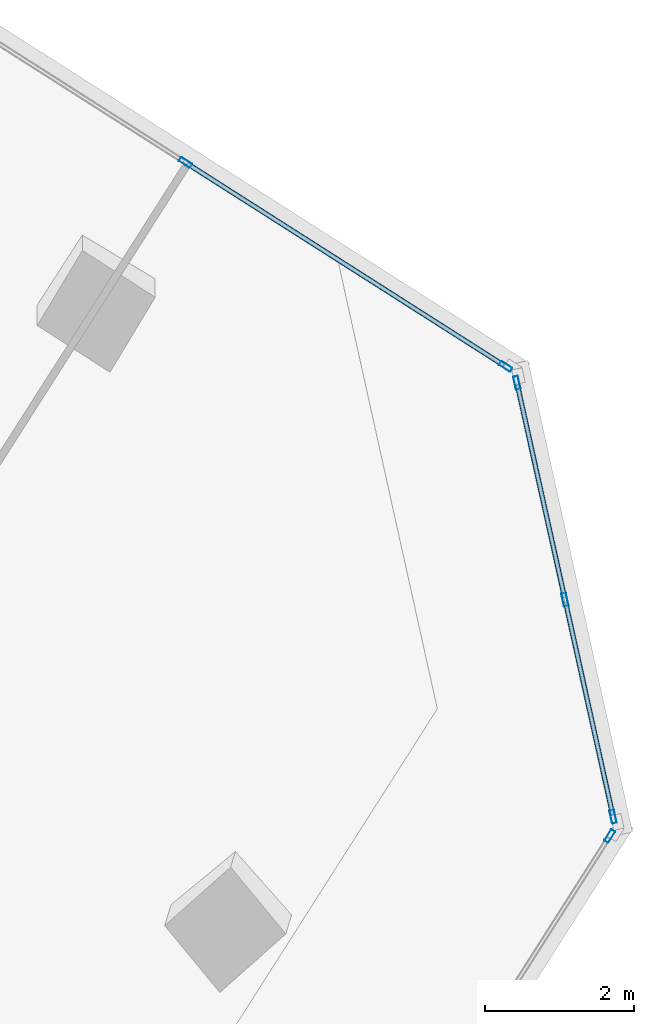
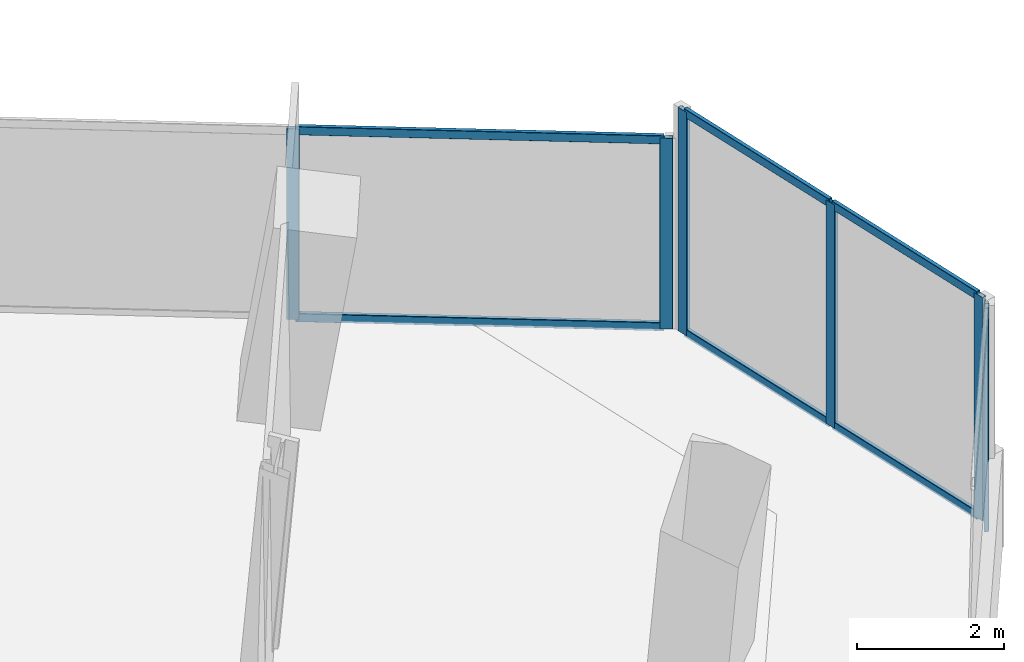
# One storey, part 11 of 24: 12 members, 3 elements without a shape of their own.
"""IFC4 building model written with IfcOpenShell, lengths in metres."""

from ifc_helpers import new_model, si_unit, direction, frame, origin, origin_2d, place, context, subcontext, project, spatial, hollow_rectangle, extrude, source, transform, mapped, material, material_profile, profile_set, type_object, element, aggregate, save


model = new_model("IFC4")

# Units and contexts
model_context = context("Model", 3, precision=1e-05, world=origin(), true_north=direction((0.0, 1.0)))
body_context = subcontext(model_context, "Body", "Model", "MODEL_VIEW")
ifc_project = project(units=[si_unit("LENGTHUNIT", "METRE"), si_unit("AREAUNIT", "SQUARE_METRE"), si_unit("VOLUMEUNIT", "CUBIC_METRE"), si_unit("PLANEANGLEUNIT", "RADIAN"), si_unit("MASSUNIT", "GRAM", prefix="KILO")], contexts=[model_context])

# Site, building, storey
site_placement = place(None, origin())
site = spatial("IfcSite", under=ifc_project, at=site_placement, CompositionType="ELEMENT")
building_placement = place(site_placement, origin())
building = spatial("IfcBuilding", under=site, at=building_placement, Name="Torre Montelarca", CompositionType="ELEMENT")
storey_placement = place(building_placement, frame((0.0, 0.0, 191.800048828125)))
storey = spatial("IfcBuildingStorey", under=building, at=storey_placement, Name="L43", CompositionType="ELEMENT", Elevation=191.800048828125)

# Curtain wall, members
ifc_material_1 = material(Name="Insulated low-E laminated glass", Category="glass")
curtain_wall_type = type_object("IfcCurtainWallType", Name="CW-SYS-Z2", PredefinedType="USERDEFINED", material=ifc_material_1)
curtain_wall_1_placement = place(storey_placement, origin())
curtain_wall_1 = element("IfcCurtainWall", 1, at=curtain_wall_1_placement, inside=storey, type_object=curtain_wall_type, Name="L43 Curtain Wall Run CW-T3-L43-E07-B1", ObjectType="UNITISED GLAZING", PredefinedType="USERDEFINED")
ifc_material_2 = material(Name="Anodised aluminium AA 6063-T6", Category="aluminium")
ifc_material_profile_1 = material_profile(ifc_material_2, hollow_rectangle(XDim=0.06494140625, YDim=0.139892578125, WallThickness=0.00390625, InnerFilletRadius=0.00390625, OuterFilletRadius=0.008056640625, at=origin_2d()), Name="ALU65X140X4", Category="aluminium")
ifc_profile_set_1 = profile_set([ifc_material_profile_1], Name="Anodised aluminium AA 6063-T6")
member_type_1 = type_object("IfcMemberType", Name="CWT-ALU140", PredefinedType="USERDEFINED", material=ifc_profile_set_1)
shared_shape_1 = source(origin(), body_context, "Body", "SweptSolid", [
    extrude(hollow_rectangle(XDim=0.06494140625, YDim=0.139892578125, WallThickness=0.00390625, InnerFilletRadius=0.00390625, OuterFilletRadius=0.008056640625, at=origin_2d()), origin(), (0.0, 0.0, 1.0), 2.918701171875),
])
member_1_placement = place(storey_placement, frame((53.24853515625, 25.73095703125, 0.032470703125), z_axis=(-0.216390174906, 0.976306966176, 0.0), x_axis=(-0.976306966176, -0.216390174906, 0.0)))
member_1 = element("IfcMember", 2, at=member_1_placement, type_object=member_type_1, Name="CW transom 1.1", ObjectType="TRANSOM", PredefinedType="USERDEFINED", context=body_context, shape_type="MappedRepresentation", body=[
    mapped(shared_shape_1, transform((0.0, 0.0, 0.0), scale=1.0)),
])
member_2_placement = place(storey_placement, frame((53.24853515625, 25.73095703125, 3.6875), z_axis=(-0.216390174906, 0.976306966176, 0.0), x_axis=(-0.976306966176, -0.216390174906, 0.0)))
member_2 = element("IfcMember", 3, at=member_2_placement, type_object=member_type_1, Name="CW transom 1.2", ObjectType="TRANSOM", PredefinedType="USERDEFINED", context=body_context, shape_type="MappedRepresentation", body=[
    mapped(shared_shape_1, transform((0.0, 0.0, 0.0), scale=1.0)),
])
shared_shape_2 = source(origin(), body_context, "Body", "SweptSolid", [
    extrude(hollow_rectangle(XDim=0.06494140625, YDim=0.139892578125, WallThickness=0.00390625, InnerFilletRadius=0.00390625, OuterFilletRadius=0.008056640625, at=origin_2d()), origin(), (0.0, 0.0, 1.0), 2.91845703125),
])
member_3_placement = place(storey_placement, frame((52.602783203125, 28.64404296875, 0.032470703125), z_axis=(-0.216487579732, 0.976285372123, 0.0), x_axis=(-0.976285372123, -0.216487579732, 0.0)))
member_3 = element("IfcMember", 4, at=member_3_placement, type_object=member_type_1, Name="CW transom 2.1", ObjectType="TRANSOM", PredefinedType="USERDEFINED", context=body_context, shape_type="MappedRepresentation", body=[
    mapped(shared_shape_2, transform((0.0, 0.0, 0.0), scale=1.0)),
])
member_4_placement = place(storey_placement, frame((52.602783203125, 28.64404296875, 3.6875), z_axis=(-0.216487579732, 0.976285372123, 0.0), x_axis=(-0.976285372123, -0.216487579732, 0.0)))
member_4 = element("IfcMember", 5, at=member_4_placement, type_object=member_type_1, Name="CW transom 2.2", ObjectType="TRANSOM", PredefinedType="USERDEFINED", context=body_context, shape_type="MappedRepresentation", body=[
    mapped(shared_shape_2, transform((0.0, 0.0, 0.0), scale=1.0)),
])

# Curtain wall, member
curtain_wall_2_placement = place(storey_placement, origin())
curtain_wall_2 = element("IfcCurtainWall", 6, at=curtain_wall_2_placement, inside=storey, type_object=curtain_wall_type, Name="L43 Curtain Wall Run CW-T3-L43-E06-B1", ObjectType="UNITISED GLAZING", PredefinedType="USERDEFINED")
ifc_material_profile_2 = material_profile(ifc_material_2, hollow_rectangle(XDim=0.06494140625, YDim=0.179931640625, WallThickness=0.00390625, InnerFilletRadius=0.00390625, OuterFilletRadius=0.008056640625, at=origin_2d()), Name="ALU65X180X4", Category="aluminium")
ifc_profile_set_2 = profile_set([ifc_material_profile_2], Name="Anodised aluminium AA 6063-T6")
member_type_2 = type_object("IfcMemberType", Name="CWM-ALU180", PredefinedType="MULLION", material=ifc_profile_set_2)
shared_shape_3 = source(origin(), body_context, "Body", "SweptSolid", [
    extrude(hollow_rectangle(XDim=0.06494140625, YDim=0.179931640625, WallThickness=0.00390625, InnerFilletRadius=0.00390625, OuterFilletRadius=0.008056640625, at=origin_2d()), origin(), (0.0, 0.0, 1.0), 3.719970703125),
])
member_5_placement = place(storey_placement, frame((53.209228515625, 25.436279296875, 0.0), z_axis=(0.0, 0.0, 1.0), x_axis=(-0.843389039566, 0.53730338538, 0.0)))
member_5 = element("IfcMember", 7, at=member_5_placement, type_object=member_type_2, Name="CW mullion 3", PredefinedType="MULLION", context=body_context, shape_type="MappedRepresentation", body=[
    mapped(shared_shape_3, transform((0.0, 0.0, 0.0), scale=1.0)),
])
aggregate(curtain_wall_2, [member_5])

# Member
member_6_placement = place(storey_placement, frame((53.255615234375, 25.69921875, 0.0), z_axis=(0.0, 0.0, 1.0), x_axis=(-0.97629420471, -0.216447743923, 0.0)))
member_6 = element("IfcMember", 8, at=member_6_placement, type_object=member_type_2, Name="CW mullion 1", PredefinedType="MULLION", context=body_context, shape_type="MappedRepresentation", body=[
    mapped(shared_shape_3, transform((0.0, 0.0, 0.0), scale=1.0)),
])

member_7_placement = place(storey_placement, frame((52.60986328125, 28.6123046875, 0.0), z_axis=(0.0, 0.0, 1.0), x_axis=(-0.97629420471, -0.216447743923, 0.0)))
member_7 = element("IfcMember", 9, at=member_7_placement, type_object=member_type_2, Name="CW mullion 2", PredefinedType="MULLION", context=body_context, shape_type="MappedRepresentation", body=[
    mapped(shared_shape_3, transform((0.0, 0.0, 0.0), scale=1.0)),
])

member_8_placement = place(storey_placement, frame((51.964111328125, 31.525146484375, 0.0), z_axis=(0.0, 0.0, 1.0), x_axis=(-0.97629420471, -0.216447743923, 0.0)))
member_8 = element("IfcMember", 10, at=member_8_placement, type_object=member_type_2, Name="CW mullion 3", PredefinedType="MULLION", context=body_context, shape_type="MappedRepresentation", body=[
    mapped(shared_shape_3, transform((0.0, 0.0, 0.0), scale=1.0)),
])

aggregate(curtain_wall_1, [member_6, member_7, member_8, member_1, member_2, member_3, member_4])

# Curtain wall, members
curtain_wall_3_placement = place(storey_placement, origin())
curtain_wall_3 = element("IfcCurtainWall", 11, at=curtain_wall_3_placement, inside=storey, type_object=curtain_wall_type, Name="L43 Curtain Wall Run CW-T3-L43-E08-B1", ObjectType="UNITISED GLAZING", PredefinedType="USERDEFINED")
shared_shape_4 = source(origin(), body_context, "Body", "SweptSolid", [
    extrude(hollow_rectangle(XDim=0.06494140625, YDim=0.179931640625, WallThickness=0.00390625, InnerFilletRadius=0.00390625, OuterFilletRadius=0.008056640625, at=origin_2d()), origin(), (0.0, 0.0, 1.0), 3.175048828125),
])
member_9_placement = place(storey_placement, frame((51.81103515625, 31.74365234375, 0.0), z_axis=(0.0, 0.0, 1.0), x_axis=(-0.537301360815, -0.843390329365, 0.0)))
member_9 = element("IfcMember", 12, at=member_9_placement, type_object=member_type_2, Name="CW mullion 1", PredefinedType="MULLION", context=body_context, shape_type="MappedRepresentation", body=[
    mapped(shared_shape_4, transform((0.0, 0.0, 0.0), scale=1.0)),
])
member_10_placement = place(storey_placement, frame((47.51416015625, 34.481201171875, 0.0), z_axis=(0.0, 0.0, 1.0), x_axis=(-0.537301360815, -0.843390329365, 0.0)))
member_10 = element("IfcMember", 13, at=member_10_placement, type_object=member_type_2, Name="CW mullion 2", PredefinedType="MULLION", context=body_context, shape_type="MappedRepresentation", body=[
    mapped(shared_shape_4, transform((0.0, 0.0, 0.0), scale=1.0)),
])
shared_shape_5 = source(origin(), body_context, "Body", "SweptSolid", [
    extrude(hollow_rectangle(XDim=0.06494140625, YDim=0.139892578125, WallThickness=0.00390625, InnerFilletRadius=0.00390625, OuterFilletRadius=0.008056640625, at=origin_2d()), origin(), (0.0, 0.0, 1.0), 5.029541015625),
])
member_11_placement = place(storey_placement, frame((51.78369140625, 31.76123046875, 0.032470703125), z_axis=(-0.843393552653, 0.537296301256, 0.0), x_axis=(-0.537296301256, -0.843393552653, 0.0)))
member_11 = element("IfcMember", 14, at=member_11_placement, type_object=member_type_1, Name="CW transom 1.1", ObjectType="TRANSOM", PredefinedType="USERDEFINED", context=body_context, shape_type="MappedRepresentation", body=[
    mapped(shared_shape_5, transform((0.0, 0.0, 0.0), scale=1.0)),
])
member_12_placement = place(storey_placement, frame((51.78369140625, 31.76123046875, 3.142333984375), z_axis=(-0.843393552653, 0.537296301256, 0.0), x_axis=(-0.537296301256, -0.843393552653, 0.0)))
member_12 = element("IfcMember", 15, at=member_12_placement, type_object=member_type_1, Name="CW transom 1.2", ObjectType="TRANSOM", PredefinedType="USERDEFINED", context=body_context, shape_type="MappedRepresentation", body=[
    mapped(shared_shape_5, transform((0.0, 0.0, 0.0), scale=1.0)),
])
aggregate(curtain_wall_3, [member_9, member_10, member_11, member_12])

save(model, "model.ifc")
